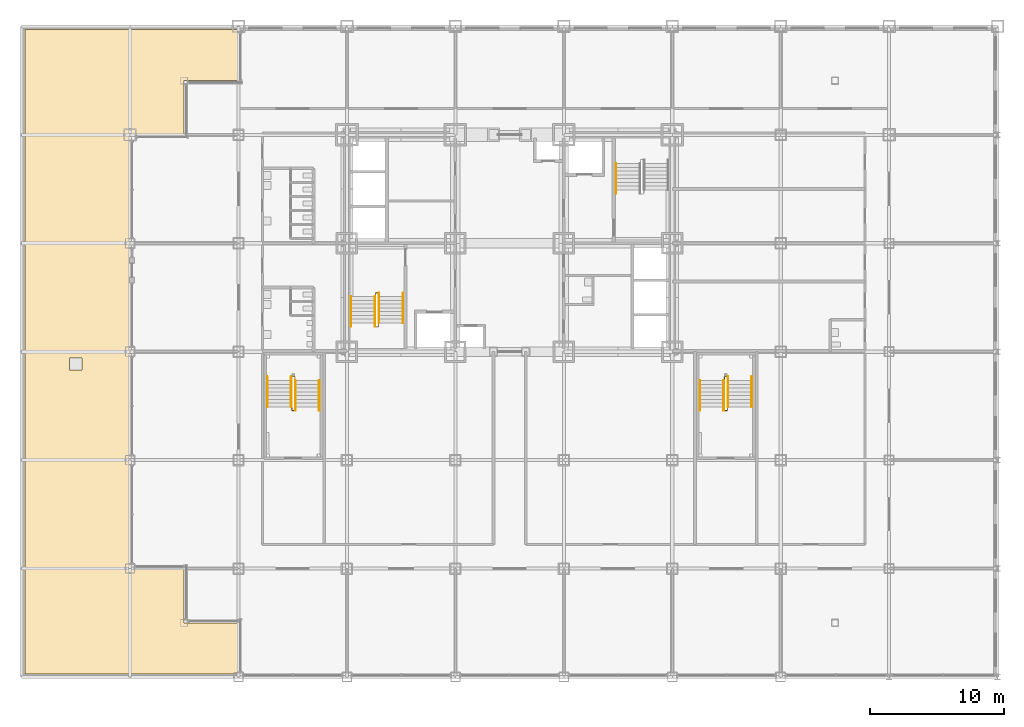
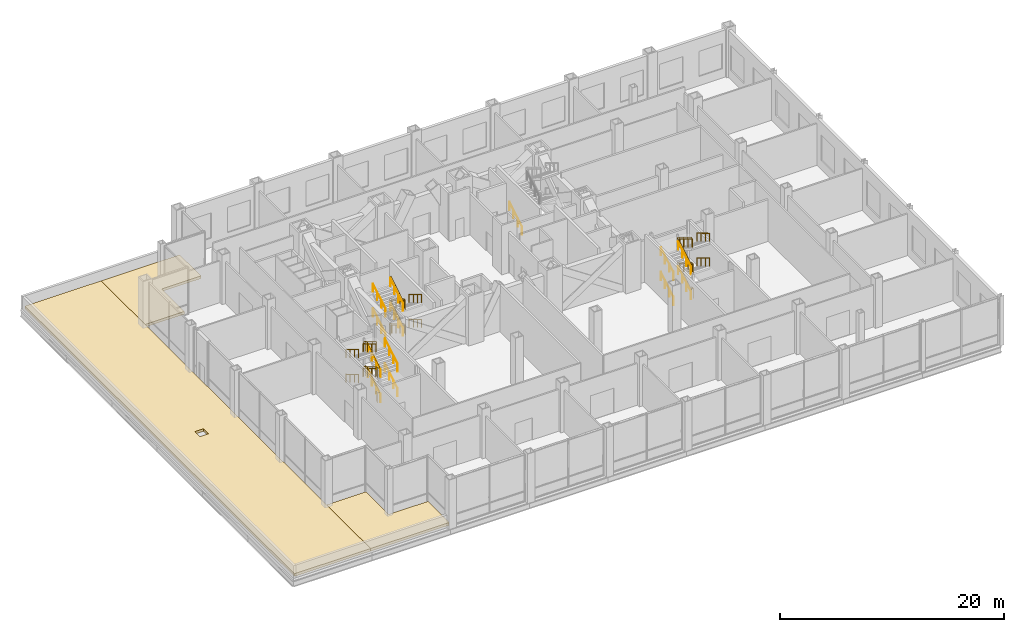
# One storey, part 24 of 26: 28 railings, 3 coverings.
"""IFC4 building model written with IfcOpenShell, lengths in metres."""

from ifc_helpers import new_model, si_unit, direction, frame, origin, origin_2d, place, context, subcontext, project, spatial, polyline, circle, outline, extrude, material, layer, layer_set, type_object, element, save


model = new_model("IFC4")

# Units and contexts
model_context = context("Model", 3, precision=1e-05, world=origin(), true_north=direction((0.0, 1.0)))
body_context = subcontext(model_context, "Body", "Model", "MODEL_VIEW")
ifc_project = project(units=[si_unit("LENGTHUNIT", "METRE"), si_unit("AREAUNIT", "SQUARE_METRE"), si_unit("VOLUMEUNIT", "CUBIC_METRE"), si_unit("PLANEANGLEUNIT", "RADIAN"), si_unit("MASSUNIT", "GRAM", prefix="KILO")], contexts=[model_context])

# Site, building, storey
site_placement = place(None, origin())
site = spatial("IfcSite", under=ifc_project, at=site_placement, CompositionType="ELEMENT")
building_placement = place(site_placement, origin())
building = spatial("IfcBuilding", under=site, at=building_placement, Name="Kopane Lantern Tower", CompositionType="ELEMENT")
storey_placement = place(building_placement, frame((0.0, 0.0, 16.800048828125)))
storey = spatial("IfcBuildingStorey", under=building, at=storey_placement, Name="L03", CompositionType="ELEMENT", Elevation=16.800048828125)

# Coverings
ifc_material_1 = material(Name="Bitumen membrane and extruded polystyrene insulation", Category="bitumen")
ifc_layer = layer(ifc_material_1, 0.280029296875)
ifc_layer_set = layer_set([ifc_layer], Name="ROOF FINISH RF1 INVERTED 280")
covering_type = type_object("IfcCoveringType", Name="ROOF FINISH RF1 INVERTED 280", PredefinedType="ROOFING", material=ifc_layer_set)
covering_1_placement = place(storey_placement, origin())
element("IfcCovering", 1, at=covering_1_placement, inside=storey, type_object=covering_type, Name="Roof finish L03", PredefinedType="ROOFING", context=body_context, shape_type="SweptSolid", body=[
    extrude(outline(polyline([(0.0, 0.25), (0.0, 48.35009765625), (-7.85009765625, 48.35009765625), (-7.85009765625, 0.25), (0.0, 0.25)]), holes=[polyline([(-4.5, 22.949951171875), (-4.5, 23.85009765625), (-3.60009765625, 23.85009765625), (-3.60009765625, 22.949951171875), (-4.5, 22.949951171875)])]), origin(), (0.0, 0.0, 1.0), 0.280029296875),
])
covering_2_placement = place(storey_placement, origin())
element("IfcCovering", 2, at=covering_2_placement, inside=storey, type_object=covering_type, Name="Roof finish L03", PredefinedType="ROOFING", context=body_context, shape_type="SweptSolid", body=[
    extrude(outline(polyline([(8.10009765625, 4.050048828125), (4.050048828125, 4.050048828125), (4.050048828125, 8.10009765625), (0.0, 8.10009765625), (0.0, 0.25), (8.10009765625, 0.25), (8.10009765625, 4.050048828125)])), origin(), (0.0, 0.0, 1.0), 0.280029296875),
])
covering_3_placement = place(storey_placement, origin())
element("IfcCovering", 3, at=covering_3_placement, inside=storey, type_object=covering_type, Name="Roof finish L03", PredefinedType="ROOFING", context=body_context, shape_type="SweptSolid", body=[
    extrude(outline(polyline([(4.050048828125, 40.5), (4.050048828125, 44.550048828125), (8.10009765625, 44.550048828125), (8.10009765625, 48.35009765625), (0.0, 48.35009765625), (0.0, 40.5), (4.050048828125, 40.5)])), origin(), (0.0, 0.0, 1.0), 0.280029296875),
])

# Railings
ifc_material_2 = material(Name="Steel", Category="steel")
railing_type_1 = type_object("IfcRailingType", Name="STAIR GUARD 1100", PredefinedType="GUARDRAIL", material=ifc_material_2)
railing_1_placement = place(storey_placement, frame((18.35009765625, 28.409912109375, 0.0)))
element("IfcRailing", 4, at=railing_1_placement, inside=storey, type_object=railing_type_1, Name="ST1 well guard L03", PredefinedType="GUARDRAIL", context=body_context, shape_type="SweptSolid", body=[
    extrude(circle(Radius=0.02392578125, at=origin_2d()), frame((0.0, 0.0, 1.076171875), z_axis=(0.0, 1.0, 0.0), x_axis=(-1.0, 0.0, 0.0)), (0.0, 0.0, 1.0), 0.280029296875),
    extrude(circle(Radius=0.02392578125, at=origin_2d()), frame((0.0, 0.280029296875, 1.076171875), z_axis=(1.0, 0.0, 0.0), x_axis=(0.0, 1.0, 0.0)), (0.0, 0.0, 1.0), 0.199951171875),
    extrude(circle(Radius=0.02392578125, at=origin_2d()), frame((0.199951171875, 0.280029296875, 1.076171875), z_axis=(0.0, -0.856502912269, 0.516142190947), x_axis=(1.0, 0.0, 0.0)), (0.0, 0.0, 1.0), 2.615234375),
    extrude(circle(Radius=0.02392578125, at=origin_2d()), frame((0.199951171875, -1.9599609375, 2.42578125), z_axis=(0.0, -1.0, 0.0), x_axis=(1.0, 0.0, 0.0)), (0.0, 0.0, 1.0), 0.280029296875),
    extrude(circle(Radius=0.02392578125, at=origin_2d()), frame((0.199951171875, -2.239990234375, 2.42578125), z_axis=(-1.0, 0.0, 0.0), x_axis=(0.0, -1.0, 0.0)), (0.0, 0.0, 1.0), 0.199951171875),
    extrude(circle(Radius=0.02392578125, at=origin_2d()), frame((0.0, -2.239990234375, 2.42578125), z_axis=(0.0, 0.856461642802, 0.516210668632), x_axis=(-1.0, 0.0, 0.0)), (0.0, 0.0, 1.0), 2.615478515625),
    extrude(circle(Radius=0.02392578125, at=origin_2d()), frame((0.0, 0.0, 3.77587890625), z_axis=(0.0, 1.0, 0.0), x_axis=(-1.0, 0.0, 0.0)), (0.0, 0.0, 1.0), 0.280029296875),
    extrude(circle(Radius=0.02392578125, at=origin_2d()), frame((0.0, 0.280029296875, 3.77587890625), z_axis=(1.0, 0.0, 0.0), x_axis=(0.0, 1.0, 0.0)), (0.0, 0.0, 1.0), 0.199951171875),
    extrude(circle(Radius=0.02392578125, at=origin_2d()), frame((0.199951171875, 0.280029296875, 3.77587890625), z_axis=(0.0, -0.856461642802, 0.516210668632), x_axis=(1.0, 0.0, 0.0)), (0.0, 0.0, 1.0), 2.615478515625),
    extrude(circle(Radius=0.02392578125, at=origin_2d()), frame((0.199951171875, -1.9599609375, 5.1259765625), z_axis=(0.0, -1.0, 0.0), x_axis=(1.0, 0.0, 0.0)), (0.0, 0.0, 1.0), 0.280029296875),
    extrude(circle(Radius=0.02392578125, at=origin_2d()), frame((0.199951171875, -2.239990234375, 5.1259765625), z_axis=(-1.0, 0.0, 0.0), x_axis=(0.0, -1.0, 0.0)), (0.0, 0.0, 1.0), 0.199951171875),
    extrude(circle(Radius=0.02392578125, at=origin_2d()), frame((0.0, -2.239990234375, 5.1259765625), z_axis=(0.0, 0.856502912269, 0.516142190947), x_axis=(-1.0, 0.0, 0.0)), (0.0, 0.0, 1.0), 2.615234375),
    extrude(circle(Radius=0.02099609375, at=origin_2d()), origin(), (0.0, 0.0, 1.0), 1.052001953125),
    extrude(circle(Radius=0.02099609375, at=origin_2d()), frame((0.0, 0.280029296875, 0.0)), (0.0, 0.0, 1.0), 1.052001953125),
    extrude(circle(Radius=0.02099609375, at=origin_2d()), frame((0.199951171875, 0.280029296875, 0.0)), (0.0, 0.0, 1.0), 1.052001953125),
    extrude(circle(Radius=0.02099609375, at=origin_2d()), frame((0.199951171875, -0.466552734375, 0.449951171875)), (0.0, 0.0, 1.0), 1.052001953125),
    extrude(circle(Radius=0.02099609375, at=origin_2d()), frame((0.199951171875, -1.21337890625, 0.89990234375)), (0.0, 0.0, 1.0), 1.052001953125),
    extrude(circle(Radius=0.02099609375, at=origin_2d()), frame((0.199951171875, -1.9599609375, 1.349853515625)), (0.0, 0.0, 1.0), 1.052001953125),
    extrude(circle(Radius=0.02099609375, at=origin_2d()), frame((0.199951171875, -2.239990234375, 1.349853515625)), (0.0, 0.0, 1.0), 1.052001953125),
    extrude(circle(Radius=0.02099609375, at=origin_2d()), frame((0.0, -2.239990234375, 1.349853515625)), (0.0, 0.0, 1.0), 1.052001953125),
    extrude(circle(Radius=0.02099609375, at=origin_2d()), frame((0.0, -1.493408203125, 1.7998046875)), (0.0, 0.0, 1.0), 1.052001953125),
    extrude(circle(Radius=0.02099609375, at=origin_2d()), frame((0.0, -0.74658203125, 2.25)), (0.0, 0.0, 1.0), 1.052001953125),
    extrude(circle(Radius=0.02099609375, at=origin_2d()), frame((0.0, 0.0, 2.699951171875)), (0.0, 0.0, 1.0), 1.052001953125),
    extrude(circle(Radius=0.02099609375, at=origin_2d()), frame((0.0, 0.280029296875, 2.699951171875)), (0.0, 0.0, 1.0), 1.052001953125),
    extrude(circle(Radius=0.02099609375, at=origin_2d()), frame((0.199951171875, 0.280029296875, 2.699951171875)), (0.0, 0.0, 1.0), 1.052001953125),
    extrude(circle(Radius=0.02099609375, at=origin_2d()), frame((0.199951171875, -0.466552734375, 3.14990234375)), (0.0, 0.0, 1.0), 1.052001953125),
    extrude(circle(Radius=0.02099609375, at=origin_2d()), frame((0.199951171875, -1.21337890625, 3.60009765625)), (0.0, 0.0, 1.0), 1.052001953125),
    extrude(circle(Radius=0.02099609375, at=origin_2d()), frame((0.199951171875, -1.9599609375, 4.050048828125)), (0.0, 0.0, 1.0), 1.052001953125),
    extrude(circle(Radius=0.02099609375, at=origin_2d()), frame((0.199951171875, -2.239990234375, 4.050048828125)), (0.0, 0.0, 1.0), 1.052001953125),
    extrude(circle(Radius=0.02099609375, at=origin_2d()), frame((0.0, -2.239990234375, 4.050048828125)), (0.0, 0.0, 1.0), 1.052001953125),
    extrude(circle(Radius=0.02099609375, at=origin_2d()), frame((0.0, -1.493408203125, 4.5)), (0.0, 0.0, 1.0), 1.052001953125),
    extrude(circle(Radius=0.02099609375, at=origin_2d()), frame((0.0, -0.74658203125, 4.949951171875)), (0.0, 0.0, 1.0), 1.052001953125),
    extrude(circle(Radius=0.02099609375, at=origin_2d()), frame((0.0, 0.0, 5.39990234375)), (0.0, 0.0, 1.0), 1.052001953125),
])
railing_2_placement = place(storey_placement, frame((12.10009765625, 20.18994140625, 0.0)))
element("IfcRailing", 5, at=railing_2_placement, inside=storey, type_object=railing_type_1, Name="ST3 well guard L03", PredefinedType="GUARDRAIL", context=body_context, shape_type="SweptSolid", body=[
    extrude(circle(Radius=0.02392578125, at=origin_2d()), frame((0.0, 0.0, 1.076171875), z_axis=(0.0, -1.0, 0.0), x_axis=(1.0, 0.0, 0.0)), (0.0, 0.0, 1.0), 0.280029296875),
    extrude(circle(Radius=0.02392578125, at=origin_2d()), frame((0.0, -0.280029296875, 1.076171875), z_axis=(1.0, 0.0, 0.0), x_axis=(0.0, 1.0, 0.0)), (0.0, 0.0, 1.0), 0.199951171875),
    extrude(circle(Radius=0.02392578125, at=origin_2d()), frame((0.199951171875, -0.280029296875, 1.076171875), z_axis=(0.0, 0.856502912269, 0.516142190947), x_axis=(-1.0, 0.0, 0.0)), (0.0, 0.0, 1.0), 2.615234375),
    extrude(circle(Radius=0.02392578125, at=origin_2d()), frame((0.199951171875, 1.9599609375, 2.42578125), z_axis=(0.0, 1.0, 0.0), x_axis=(-1.0, 0.0, 0.0)), (0.0, 0.0, 1.0), 0.280029296875),
    extrude(circle(Radius=0.02392578125, at=origin_2d()), frame((0.199951171875, 2.239990234375, 2.42578125), z_axis=(-1.0, 0.0, 0.0), x_axis=(0.0, -1.0, 0.0)), (0.0, 0.0, 1.0), 0.199951171875),
    extrude(circle(Radius=0.02392578125, at=origin_2d()), frame((0.0, 2.239990234375, 2.42578125), z_axis=(0.0, -0.856461642802, 0.516210668632), x_axis=(1.0, 0.0, 0.0)), (0.0, 0.0, 1.0), 2.615478515625),
    extrude(circle(Radius=0.02392578125, at=origin_2d()), frame((0.0, 0.0, 3.77587890625), z_axis=(0.0, -1.0, 0.0), x_axis=(1.0, 0.0, 0.0)), (0.0, 0.0, 1.0), 0.280029296875),
    extrude(circle(Radius=0.02392578125, at=origin_2d()), frame((0.0, -0.280029296875, 3.77587890625), z_axis=(1.0, 0.0, 0.0), x_axis=(0.0, 1.0, 0.0)), (0.0, 0.0, 1.0), 0.199951171875),
    extrude(circle(Radius=0.02392578125, at=origin_2d()), frame((0.199951171875, -0.280029296875, 3.77587890625), z_axis=(0.0, 0.856461642802, 0.516210668632), x_axis=(-1.0, 0.0, 0.0)), (0.0, 0.0, 1.0), 2.615478515625),
    extrude(circle(Radius=0.02392578125, at=origin_2d()), frame((0.199951171875, 1.9599609375, 5.1259765625), z_axis=(0.0, 1.0, 0.0), x_axis=(-1.0, 0.0, 0.0)), (0.0, 0.0, 1.0), 0.280029296875),
    extrude(circle(Radius=0.02392578125, at=origin_2d()), frame((0.199951171875, 2.239990234375, 5.1259765625), z_axis=(-1.0, 0.0, 0.0), x_axis=(0.0, -1.0, 0.0)), (0.0, 0.0, 1.0), 0.199951171875),
    extrude(circle(Radius=0.02392578125, at=origin_2d()), frame((0.0, 2.239990234375, 5.1259765625), z_axis=(0.0, -0.856502912269, 0.516142190947), x_axis=(1.0, 0.0, 0.0)), (0.0, 0.0, 1.0), 2.615234375),
    extrude(circle(Radius=0.02099609375, at=origin_2d()), origin(), (0.0, 0.0, 1.0), 1.052001953125),
    extrude(circle(Radius=0.02099609375, at=origin_2d()), frame((0.0, -0.280029296875, 0.0)), (0.0, 0.0, 1.0), 1.052001953125),
    extrude(circle(Radius=0.02099609375, at=origin_2d()), frame((0.199951171875, -0.280029296875, 0.0)), (0.0, 0.0, 1.0), 1.052001953125),
    extrude(circle(Radius=0.02099609375, at=origin_2d()), frame((0.199951171875, 0.466552734375, 0.449951171875)), (0.0, 0.0, 1.0), 1.052001953125),
    extrude(circle(Radius=0.02099609375, at=origin_2d()), frame((0.199951171875, 1.21337890625, 0.89990234375)), (0.0, 0.0, 1.0), 1.052001953125),
    extrude(circle(Radius=0.02099609375, at=origin_2d()), frame((0.199951171875, 1.9599609375, 1.349853515625)), (0.0, 0.0, 1.0), 1.052001953125),
    extrude(circle(Radius=0.02099609375, at=origin_2d()), frame((0.199951171875, 2.239990234375, 1.349853515625)), (0.0, 0.0, 1.0), 1.052001953125),
    extrude(circle(Radius=0.02099609375, at=origin_2d()), frame((0.0, 2.239990234375, 1.349853515625)), (0.0, 0.0, 1.0), 1.052001953125),
    extrude(circle(Radius=0.02099609375, at=origin_2d()), frame((0.0, 1.493408203125, 1.7998046875)), (0.0, 0.0, 1.0), 1.052001953125),
    extrude(circle(Radius=0.02099609375, at=origin_2d()), frame((0.0, 0.74658203125, 2.25)), (0.0, 0.0, 1.0), 1.052001953125),
    extrude(circle(Radius=0.02099609375, at=origin_2d()), frame((0.0, 0.0, 2.699951171875)), (0.0, 0.0, 1.0), 1.052001953125),
    extrude(circle(Radius=0.02099609375, at=origin_2d()), frame((0.0, -0.280029296875, 2.699951171875)), (0.0, 0.0, 1.0), 1.052001953125),
    extrude(circle(Radius=0.02099609375, at=origin_2d()), frame((0.199951171875, -0.280029296875, 2.699951171875)), (0.0, 0.0, 1.0), 1.052001953125),
    extrude(circle(Radius=0.02099609375, at=origin_2d()), frame((0.199951171875, 0.466552734375, 3.14990234375)), (0.0, 0.0, 1.0), 1.052001953125),
    extrude(circle(Radius=0.02099609375, at=origin_2d()), frame((0.199951171875, 1.21337890625, 3.60009765625)), (0.0, 0.0, 1.0), 1.052001953125),
    extrude(circle(Radius=0.02099609375, at=origin_2d()), frame((0.199951171875, 1.9599609375, 4.050048828125)), (0.0, 0.0, 1.0), 1.052001953125),
    extrude(circle(Radius=0.02099609375, at=origin_2d()), frame((0.199951171875, 2.239990234375, 4.050048828125)), (0.0, 0.0, 1.0), 1.052001953125),
    extrude(circle(Radius=0.02099609375, at=origin_2d()), frame((0.0, 2.239990234375, 4.050048828125)), (0.0, 0.0, 1.0), 1.052001953125),
    extrude(circle(Radius=0.02099609375, at=origin_2d()), frame((0.0, 1.493408203125, 4.5)), (0.0, 0.0, 1.0), 1.052001953125),
    extrude(circle(Radius=0.02099609375, at=origin_2d()), frame((0.0, 0.74658203125, 4.949951171875)), (0.0, 0.0, 1.0), 1.052001953125),
    extrude(circle(Radius=0.02099609375, at=origin_2d()), frame((0.0, 0.0, 5.39990234375)), (0.0, 0.0, 1.0), 1.052001953125),
])
railing_3_placement = place(storey_placement, frame((44.60009765625, 20.18994140625, 0.0)))
element("IfcRailing", 6, at=railing_3_placement, inside=storey, type_object=railing_type_1, Name="ST4 well guard L03", PredefinedType="GUARDRAIL", context=body_context, shape_type="SweptSolid", body=[
    extrude(circle(Radius=0.02392578125, at=origin_2d()), frame((0.0, 0.0, 1.076171875), z_axis=(0.0, -1.0, 0.0), x_axis=(1.0, 0.0, 0.0)), (0.0, 0.0, 1.0), 0.280029296875),
    extrude(circle(Radius=0.02392578125, at=origin_2d()), frame((0.0, -0.280029296875, 1.076171875), z_axis=(-1.0, 0.0, 0.0), x_axis=(0.0, -1.0, 0.0)), (0.0, 0.0, 1.0), 0.2001953125),
    extrude(circle(Radius=0.02392578125, at=origin_2d()), frame((-0.2001953125, -0.280029296875, 1.076171875), z_axis=(0.0, 0.856502912269, 0.516142190947), x_axis=(-1.0, 0.0, 0.0)), (0.0, 0.0, 1.0), 2.615234375),
    extrude(circle(Radius=0.02392578125, at=origin_2d()), frame((-0.2001953125, 1.9599609375, 2.42578125), z_axis=(0.0, 1.0, 0.0), x_axis=(-1.0, 0.0, 0.0)), (0.0, 0.0, 1.0), 0.280029296875),
    extrude(circle(Radius=0.02392578125, at=origin_2d()), frame((-0.2001953125, 2.239990234375, 2.42578125), z_axis=(1.0, 0.0, 0.0), x_axis=(0.0, 1.0, 0.0)), (0.0, 0.0, 1.0), 0.2001953125),
    extrude(circle(Radius=0.02392578125, at=origin_2d()), frame((0.0, 2.239990234375, 2.42578125), z_axis=(0.0, -0.856461642802, 0.516210668632), x_axis=(1.0, 0.0, 0.0)), (0.0, 0.0, 1.0), 2.615478515625),
    extrude(circle(Radius=0.02392578125, at=origin_2d()), frame((0.0, 0.0, 3.77587890625), z_axis=(0.0, -1.0, 0.0), x_axis=(1.0, 0.0, 0.0)), (0.0, 0.0, 1.0), 0.280029296875),
    extrude(circle(Radius=0.02392578125, at=origin_2d()), frame((0.0, -0.280029296875, 3.77587890625), z_axis=(-1.0, 0.0, 0.0), x_axis=(0.0, -1.0, 0.0)), (0.0, 0.0, 1.0), 0.2001953125),
    extrude(circle(Radius=0.02392578125, at=origin_2d()), frame((-0.2001953125, -0.280029296875, 3.77587890625), z_axis=(0.0, 0.856461642802, 0.516210668632), x_axis=(-1.0, 0.0, 0.0)), (0.0, 0.0, 1.0), 2.615478515625),
    extrude(circle(Radius=0.02392578125, at=origin_2d()), frame((-0.2001953125, 1.9599609375, 5.1259765625), z_axis=(0.0, 1.0, 0.0), x_axis=(-1.0, 0.0, 0.0)), (0.0, 0.0, 1.0), 0.280029296875),
    extrude(circle(Radius=0.02392578125, at=origin_2d()), frame((-0.2001953125, 2.239990234375, 5.1259765625), z_axis=(1.0, 0.0, 0.0), x_axis=(0.0, 1.0, 0.0)), (0.0, 0.0, 1.0), 0.2001953125),
    extrude(circle(Radius=0.02392578125, at=origin_2d()), frame((0.0, 2.239990234375, 5.1259765625), z_axis=(0.0, -0.856502912269, 0.516142190947), x_axis=(1.0, 0.0, 0.0)), (0.0, 0.0, 1.0), 2.615234375),
    extrude(circle(Radius=0.02099609375, at=origin_2d()), origin(), (0.0, 0.0, 1.0), 1.052001953125),
    extrude(circle(Radius=0.02099609375, at=origin_2d()), frame((0.0, -0.280029296875, 0.0)), (0.0, 0.0, 1.0), 1.052001953125),
    extrude(circle(Radius=0.02099609375, at=origin_2d()), frame((-0.2001953125, -0.280029296875, 0.0)), (0.0, 0.0, 1.0), 1.052001953125),
    extrude(circle(Radius=0.02099609375, at=origin_2d()), frame((-0.2001953125, 0.466552734375, 0.449951171875)), (0.0, 0.0, 1.0), 1.052001953125),
    extrude(circle(Radius=0.02099609375, at=origin_2d()), frame((-0.2001953125, 1.21337890625, 0.89990234375)), (0.0, 0.0, 1.0), 1.052001953125),
    extrude(circle(Radius=0.02099609375, at=origin_2d()), frame((-0.2001953125, 1.9599609375, 1.349853515625)), (0.0, 0.0, 1.0), 1.052001953125),
    extrude(circle(Radius=0.02099609375, at=origin_2d()), frame((-0.2001953125, 2.239990234375, 1.349853515625)), (0.0, 0.0, 1.0), 1.052001953125),
    extrude(circle(Radius=0.02099609375, at=origin_2d()), frame((0.0, 2.239990234375, 1.349853515625)), (0.0, 0.0, 1.0), 1.052001953125),
    extrude(circle(Radius=0.02099609375, at=origin_2d()), frame((0.0, 1.493408203125, 1.7998046875)), (0.0, 0.0, 1.0), 1.052001953125),
    extrude(circle(Radius=0.02099609375, at=origin_2d()), frame((0.0, 0.74658203125, 2.25)), (0.0, 0.0, 1.0), 1.052001953125),
    extrude(circle(Radius=0.02099609375, at=origin_2d()), frame((0.0, 0.0, 2.699951171875)), (0.0, 0.0, 1.0), 1.052001953125),
    extrude(circle(Radius=0.02099609375, at=origin_2d()), frame((0.0, -0.280029296875, 2.699951171875)), (0.0, 0.0, 1.0), 1.052001953125),
    extrude(circle(Radius=0.02099609375, at=origin_2d()), frame((-0.2001953125, -0.280029296875, 2.699951171875)), (0.0, 0.0, 1.0), 1.052001953125),
    extrude(circle(Radius=0.02099609375, at=origin_2d()), frame((-0.2001953125, 0.466552734375, 3.14990234375)), (0.0, 0.0, 1.0), 1.052001953125),
    extrude(circle(Radius=0.02099609375, at=origin_2d()), frame((-0.2001953125, 1.21337890625, 3.60009765625)), (0.0, 0.0, 1.0), 1.052001953125),
    extrude(circle(Radius=0.02099609375, at=origin_2d()), frame((-0.2001953125, 1.9599609375, 4.050048828125)), (0.0, 0.0, 1.0), 1.052001953125),
    extrude(circle(Radius=0.02099609375, at=origin_2d()), frame((-0.2001953125, 2.239990234375, 4.050048828125)), (0.0, 0.0, 1.0), 1.052001953125),
    extrude(circle(Radius=0.02099609375, at=origin_2d()), frame((0.0, 2.239990234375, 4.050048828125)), (0.0, 0.0, 1.0), 1.052001953125),
    extrude(circle(Radius=0.02099609375, at=origin_2d()), frame((0.0, 1.493408203125, 4.5)), (0.0, 0.0, 1.0), 1.052001953125),
    extrude(circle(Radius=0.02099609375, at=origin_2d()), frame((0.0, 0.74658203125, 4.949951171875)), (0.0, 0.0, 1.0), 1.052001953125),
    extrude(circle(Radius=0.02099609375, at=origin_2d()), frame((0.0, 0.0, 5.39990234375)), (0.0, 0.0, 1.0), 1.052001953125),
])
ifc_material_3 = material(Name="Steel", Category="steel")
railing_type_2 = type_object("IfcRailingType", Name="STAIR HANDRAIL 900", PredefinedType="HANDRAIL", material=ifc_material_3)
for number, where, name in (
    (7, (20.389892578125, 28.68994140625, 0.0), "ST1 handrail L03 flight 1"),
    (8, (18.610107421875, 28.68994140625, 0.0), "ST1 handrail L03 flight 1"),
):
    element("IfcRailing", number, at=place(storey_placement, frame(where)), inside=storey, type_object=railing_type_2, Name=name, PredefinedType="HANDRAIL", context=body_context, shape_type="SweptSolid", body=[
        extrude(circle(Radius=0.02392578125, at=origin_2d()), frame((0.0, 0.0, 0.8759765625), z_axis=(0.0, -0.856502912269, 0.516142190947), x_axis=(1.0, 0.0, 0.0)), (0.0, 0.0, 1.0), 2.615234375),
        extrude(circle(Radius=0.02099609375, at=origin_2d()), origin(), (0.0, 0.0, 1.0), 0.851806640625),
        extrude(circle(Radius=0.02099609375, at=origin_2d()), frame((0.0, -0.74658203125, 0.449951171875)), (0.0, 0.0, 1.0), 0.851806640625),
        extrude(circle(Radius=0.02099609375, at=origin_2d()), frame((0.0, -1.493408203125, 0.89990234375)), (0.0, 0.0, 1.0), 0.851806640625),
        extrude(circle(Radius=0.02099609375, at=origin_2d()), frame((0.0, -2.239990234375, 1.349853515625)), (0.0, 0.0, 1.0), 0.851806640625),
    ])
for number, where, name in (
    (9, (16.510009765625, 26.169921875, 1.349853515625), "ST1 handrail L03 flight 2"),
    (10, (18.2900390625, 26.169921875, 1.349853515625), "ST1 handrail L03 flight 2"),
):
    element("IfcRailing", number, at=place(storey_placement, frame(where)), inside=storey, type_object=railing_type_2, Name=name, PredefinedType="HANDRAIL", context=body_context, shape_type="SweptSolid", body=[
        extrude(circle(Radius=0.02392578125, at=origin_2d()), frame((0.0, 0.0, 0.8759765625), z_axis=(0.0, 0.856461642802, 0.516210668632), x_axis=(-1.0, 0.0, 0.0)), (0.0, 0.0, 1.0), 2.615478515625),
        extrude(circle(Radius=0.02099609375, at=origin_2d()), origin(), (0.0, 0.0, 1.0), 0.851806640625),
        extrude(circle(Radius=0.02099609375, at=origin_2d()), frame((0.0, 0.74658203125, 0.449951171875)), (0.0, 0.0, 1.0), 0.851806640625),
        extrude(circle(Radius=0.02099609375, at=origin_2d()), frame((0.0, 1.493408203125, 0.900146484375)), (0.0, 0.0, 1.0), 0.851806640625),
        extrude(circle(Radius=0.02099609375, at=origin_2d()), frame((0.0, 2.239990234375, 1.35009765625)), (0.0, 0.0, 1.0), 0.851806640625),
    ])
for number, where, name in (
    (11, (20.389892578125, 28.68994140625, 2.699951171875), "ST1 handrail L03 flight 3"),
    (12, (18.610107421875, 28.68994140625, 2.699951171875), "ST1 handrail L03 flight 3"),
):
    element("IfcRailing", number, at=place(storey_placement, frame(where)), inside=storey, type_object=railing_type_2, Name=name, PredefinedType="HANDRAIL", context=body_context, shape_type="SweptSolid", body=[
        extrude(circle(Radius=0.02392578125, at=origin_2d()), frame((0.0, 0.0, 0.8759765625), z_axis=(0.0, -0.856461642802, 0.516210668632), x_axis=(1.0, 0.0, 0.0)), (0.0, 0.0, 1.0), 2.615478515625),
        extrude(circle(Radius=0.02099609375, at=origin_2d()), origin(), (0.0, 0.0, 1.0), 0.851806640625),
        extrude(circle(Radius=0.02099609375, at=origin_2d()), frame((0.0, -0.74658203125, 0.449951171875)), (0.0, 0.0, 1.0), 0.851806640625),
        extrude(circle(Radius=0.02099609375, at=origin_2d()), frame((0.0, -1.493408203125, 0.900146484375)), (0.0, 0.0, 1.0), 0.851806640625),
        extrude(circle(Radius=0.02099609375, at=origin_2d()), frame((0.0, -2.239990234375, 1.35009765625)), (0.0, 0.0, 1.0), 0.851806640625),
    ])
for number, where, name in (
    (13, (16.510009765625, 26.169921875, 4.050048828125), "ST1 handrail L03 flight 4"),
    (14, (18.2900390625, 26.169921875, 4.050048828125), "ST1 handrail L03 flight 4"),
    (15, (36.31005859375, 36.110107421875, 0.0), "ST2 handrail L03 flight 1"),
    (16, (14.139892578125, 19.909912109375, 0.0), "ST3 handrail L03 flight 1"),
    (17, (12.360107421875, 19.909912109375, 0.0), "ST3 handrail L03 flight 1"),
):
    element("IfcRailing", number, at=place(storey_placement, frame(where)), inside=storey, type_object=railing_type_2, Name=name, PredefinedType="HANDRAIL", context=body_context, shape_type="SweptSolid", body=[
        extrude(circle(Radius=0.02392578125, at=origin_2d()), frame((0.0, 0.0, 0.8759765625), z_axis=(0.0, 0.856502912269, 0.516142190947), x_axis=(-1.0, 0.0, 0.0)), (0.0, 0.0, 1.0), 2.615234375),
        extrude(circle(Radius=0.02099609375, at=origin_2d()), origin(), (0.0, 0.0, 1.0), 0.851806640625),
        extrude(circle(Radius=0.02099609375, at=origin_2d()), frame((0.0, 0.74658203125, 0.449951171875)), (0.0, 0.0, 1.0), 0.851806640625),
        extrude(circle(Radius=0.02099609375, at=origin_2d()), frame((0.0, 1.493408203125, 0.89990234375)), (0.0, 0.0, 1.0), 0.851806640625),
        extrude(circle(Radius=0.02099609375, at=origin_2d()), frame((0.0, 2.239990234375, 1.349853515625)), (0.0, 0.0, 1.0), 0.851806640625),
    ])
for number, where, name in (
    (18, (10.260009765625, 22.429931640625, 1.349853515625), "ST3 handrail L03 flight 2"),
    (19, (12.0400390625, 22.429931640625, 1.349853515625), "ST3 handrail L03 flight 2"),
):
    element("IfcRailing", number, at=place(storey_placement, frame(where)), inside=storey, type_object=railing_type_2, Name=name, PredefinedType="HANDRAIL", context=body_context, shape_type="SweptSolid", body=[
        extrude(circle(Radius=0.02392578125, at=origin_2d()), frame((0.0, 0.0, 0.8759765625), z_axis=(0.0, -0.856461642802, 0.516210668632), x_axis=(1.0, 0.0, 0.0)), (0.0, 0.0, 1.0), 2.615478515625),
        extrude(circle(Radius=0.02099609375, at=origin_2d()), origin(), (0.0, 0.0, 1.0), 0.851806640625),
        extrude(circle(Radius=0.02099609375, at=origin_2d()), frame((0.0, -0.74658203125, 0.449951171875)), (0.0, 0.0, 1.0), 0.851806640625),
        extrude(circle(Radius=0.02099609375, at=origin_2d()), frame((0.0, -1.493408203125, 0.900146484375)), (0.0, 0.0, 1.0), 0.851806640625),
        extrude(circle(Radius=0.02099609375, at=origin_2d()), frame((0.0, -2.239990234375, 1.35009765625)), (0.0, 0.0, 1.0), 0.851806640625),
    ])
for number, where, name in (
    (20, (14.139892578125, 19.909912109375, 2.699951171875), "ST3 handrail L03 flight 3"),
    (21, (12.360107421875, 19.909912109375, 2.699951171875), "ST3 handrail L03 flight 3"),
):
    element("IfcRailing", number, at=place(storey_placement, frame(where)), inside=storey, type_object=railing_type_2, Name=name, PredefinedType="HANDRAIL", context=body_context, shape_type="SweptSolid", body=[
        extrude(circle(Radius=0.02392578125, at=origin_2d()), frame((0.0, 0.0, 0.8759765625), z_axis=(0.0, 0.856461642802, 0.516210668632), x_axis=(-1.0, 0.0, 0.0)), (0.0, 0.0, 1.0), 2.615478515625),
        extrude(circle(Radius=0.02099609375, at=origin_2d()), origin(), (0.0, 0.0, 1.0), 0.851806640625),
        extrude(circle(Radius=0.02099609375, at=origin_2d()), frame((0.0, 0.74658203125, 0.449951171875)), (0.0, 0.0, 1.0), 0.851806640625),
        extrude(circle(Radius=0.02099609375, at=origin_2d()), frame((0.0, 1.493408203125, 0.900146484375)), (0.0, 0.0, 1.0), 0.851806640625),
        extrude(circle(Radius=0.02099609375, at=origin_2d()), frame((0.0, 2.239990234375, 1.35009765625)), (0.0, 0.0, 1.0), 0.851806640625),
    ])
for number, where, name in (
    (22, (10.260009765625, 22.429931640625, 4.050048828125), "ST3 handrail L03 flight 4"),
    (23, (12.0400390625, 22.429931640625, 4.050048828125), "ST3 handrail L03 flight 4"),
):
    element("IfcRailing", number, at=place(storey_placement, frame(where)), inside=storey, type_object=railing_type_2, Name=name, PredefinedType="HANDRAIL", context=body_context, shape_type="SweptSolid", body=[
        extrude(circle(Radius=0.02392578125, at=origin_2d()), frame((0.0, 0.0, 0.8759765625), z_axis=(0.0, -0.856502912269, 0.516142190947), x_axis=(1.0, 0.0, 0.0)), (0.0, 0.0, 1.0), 2.615234375),
        extrude(circle(Radius=0.02099609375, at=origin_2d()), origin(), (0.0, 0.0, 1.0), 0.851806640625),
        extrude(circle(Radius=0.02099609375, at=origin_2d()), frame((0.0, -0.74658203125, 0.449951171875)), (0.0, 0.0, 1.0), 0.851806640625),
        extrude(circle(Radius=0.02099609375, at=origin_2d()), frame((0.0, -1.493408203125, 0.89990234375)), (0.0, 0.0, 1.0), 0.851806640625),
        extrude(circle(Radius=0.02099609375, at=origin_2d()), frame((0.0, -2.239990234375, 1.349853515625)), (0.0, 0.0, 1.0), 0.851806640625),
    ])
for number, where, name in (
    (24, (42.56005859375, 19.909912109375, 0.0), "ST4 handrail L03 flight 1"),
    (25, (44.340087890625, 19.909912109375, 0.0), "ST4 handrail L03 flight 1"),
):
    element("IfcRailing", number, at=place(storey_placement, frame(where)), inside=storey, type_object=railing_type_2, Name=name, PredefinedType="HANDRAIL", context=body_context, shape_type="SweptSolid", body=[
        extrude(circle(Radius=0.02392578125, at=origin_2d()), frame((0.0, 0.0, 0.8759765625), z_axis=(0.0, 0.856502912269, 0.516142190947), x_axis=(-1.0, 0.0, 0.0)), (0.0, 0.0, 1.0), 2.615234375),
        extrude(circle(Radius=0.02099609375, at=origin_2d()), origin(), (0.0, 0.0, 1.0), 0.851806640625),
        extrude(circle(Radius=0.02099609375, at=origin_2d()), frame((0.0, 0.74658203125, 0.449951171875)), (0.0, 0.0, 1.0), 0.851806640625),
        extrude(circle(Radius=0.02099609375, at=origin_2d()), frame((0.0, 1.493408203125, 0.89990234375)), (0.0, 0.0, 1.0), 0.851806640625),
        extrude(circle(Radius=0.02099609375, at=origin_2d()), frame((0.0, 2.239990234375, 1.349853515625)), (0.0, 0.0, 1.0), 0.851806640625),
    ])
for number, where, name in (
    (26, (46.43994140625, 22.429931640625, 1.349853515625), "ST4 handrail L03 flight 2"),
    (27, (44.659912109375, 22.429931640625, 1.349853515625), "ST4 handrail L03 flight 2"),
):
    element("IfcRailing", number, at=place(storey_placement, frame(where)), inside=storey, type_object=railing_type_2, Name=name, PredefinedType="HANDRAIL", context=body_context, shape_type="SweptSolid", body=[
        extrude(circle(Radius=0.02392578125, at=origin_2d()), frame((0.0, 0.0, 0.8759765625), z_axis=(0.0, -0.856461642802, 0.516210668632), x_axis=(1.0, 0.0, 0.0)), (0.0, 0.0, 1.0), 2.615478515625),
        extrude(circle(Radius=0.02099609375, at=origin_2d()), origin(), (0.0, 0.0, 1.0), 0.851806640625),
        extrude(circle(Radius=0.02099609375, at=origin_2d()), frame((0.0, -0.74658203125, 0.449951171875)), (0.0, 0.0, 1.0), 0.851806640625),
        extrude(circle(Radius=0.02099609375, at=origin_2d()), frame((0.0, -1.493408203125, 0.900146484375)), (0.0, 0.0, 1.0), 0.851806640625),
        extrude(circle(Radius=0.02099609375, at=origin_2d()), frame((0.0, -2.239990234375, 1.35009765625)), (0.0, 0.0, 1.0), 0.851806640625),
    ])
for number, where, name in (
    (28, (42.56005859375, 19.909912109375, 2.699951171875), "ST4 handrail L03 flight 3"),
    (29, (44.340087890625, 19.909912109375, 2.699951171875), "ST4 handrail L03 flight 3"),
):
    element("IfcRailing", number, at=place(storey_placement, frame(where)), inside=storey, type_object=railing_type_2, Name=name, PredefinedType="HANDRAIL", context=body_context, shape_type="SweptSolid", body=[
        extrude(circle(Radius=0.02392578125, at=origin_2d()), frame((0.0, 0.0, 0.8759765625), z_axis=(0.0, 0.856461642802, 0.516210668632), x_axis=(-1.0, 0.0, 0.0)), (0.0, 0.0, 1.0), 2.615478515625),
        extrude(circle(Radius=0.02099609375, at=origin_2d()), origin(), (0.0, 0.0, 1.0), 0.851806640625),
        extrude(circle(Radius=0.02099609375, at=origin_2d()), frame((0.0, 0.74658203125, 0.449951171875)), (0.0, 0.0, 1.0), 0.851806640625),
        extrude(circle(Radius=0.02099609375, at=origin_2d()), frame((0.0, 1.493408203125, 0.900146484375)), (0.0, 0.0, 1.0), 0.851806640625),
        extrude(circle(Radius=0.02099609375, at=origin_2d()), frame((0.0, 2.239990234375, 1.35009765625)), (0.0, 0.0, 1.0), 0.851806640625),
    ])
for number, where, name in (
    (30, (46.43994140625, 22.429931640625, 4.050048828125), "ST4 handrail L03 flight 4"),
    (31, (44.659912109375, 22.429931640625, 4.050048828125), "ST4 handrail L03 flight 4"),
):
    element("IfcRailing", number, at=place(storey_placement, frame(where)), inside=storey, type_object=railing_type_2, Name=name, PredefinedType="HANDRAIL", context=body_context, shape_type="SweptSolid", body=[
        extrude(circle(Radius=0.02392578125, at=origin_2d()), frame((0.0, 0.0, 0.8759765625), z_axis=(0.0, -0.856502912269, 0.516142190947), x_axis=(1.0, 0.0, 0.0)), (0.0, 0.0, 1.0), 2.615234375),
        extrude(circle(Radius=0.02099609375, at=origin_2d()), origin(), (0.0, 0.0, 1.0), 0.851806640625),
        extrude(circle(Radius=0.02099609375, at=origin_2d()), frame((0.0, -0.74658203125, 0.449951171875)), (0.0, 0.0, 1.0), 0.851806640625),
        extrude(circle(Radius=0.02099609375, at=origin_2d()), frame((0.0, -1.493408203125, 0.89990234375)), (0.0, 0.0, 1.0), 0.851806640625),
        extrude(circle(Radius=0.02099609375, at=origin_2d()), frame((0.0, -2.239990234375, 1.349853515625)), (0.0, 0.0, 1.0), 0.851806640625),
    ])

save(model, "model.ifc")
